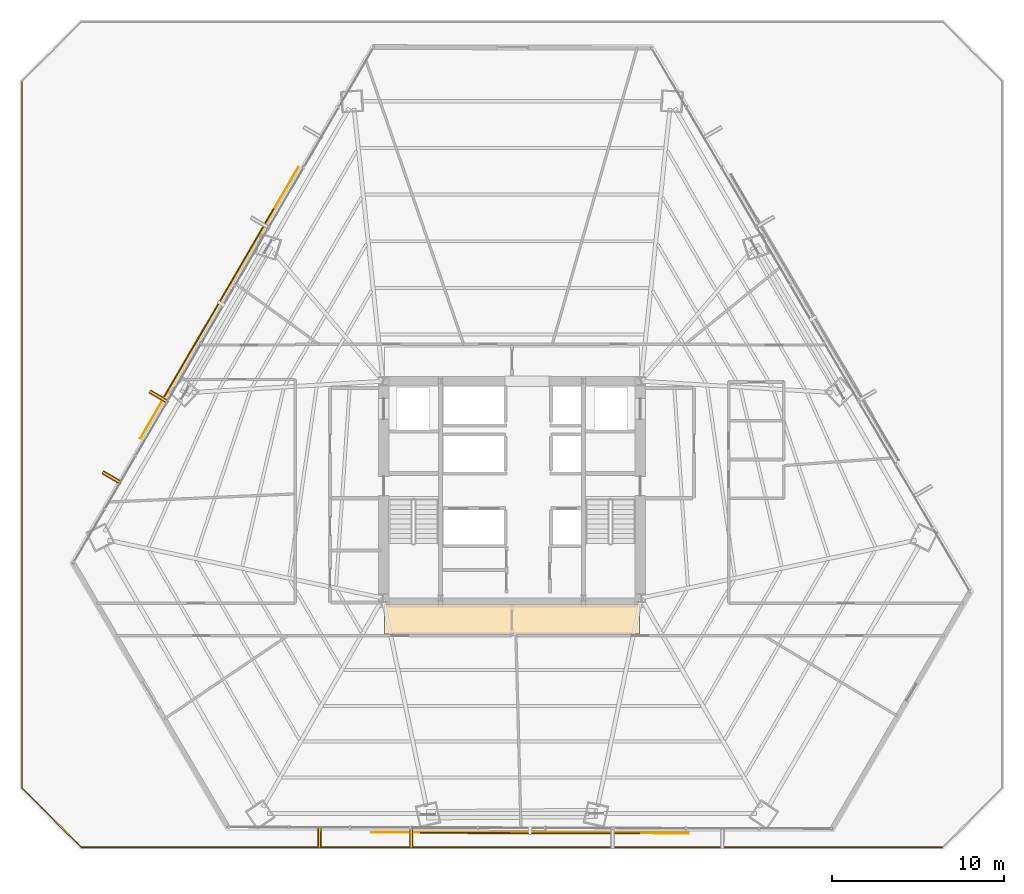
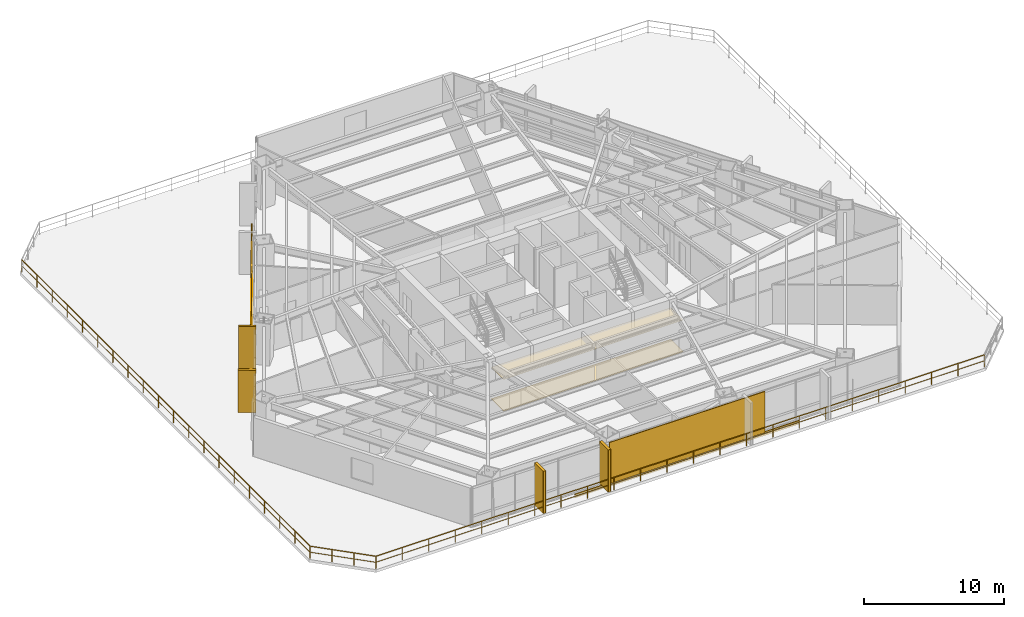
# One storey, part 32 of 35: 8 coverings, 6 shading devices, 3 railings.
"""IFC4 building model written with IfcOpenShell, lengths in metres."""

from ifc_helpers import new_model, si_unit, direction, frame, origin, origin_2d, place, context, subcontext, project, spatial, polyline, rectangle, outline, extrude, source, transform, mapped, material, layer, layer_set, type_object, type_shapes, element, save


model = new_model("IFC4")

# Units and contexts
model_context = context("Model", 3, precision=1e-05, world=origin(), true_north=direction((0.0, 1.0)))
body_context = subcontext(model_context, "Body", "Model", "MODEL_VIEW")
ifc_project = project(units=[si_unit("LENGTHUNIT", "METRE"), si_unit("AREAUNIT", "SQUARE_METRE"), si_unit("VOLUMEUNIT", "CUBIC_METRE"), si_unit("PLANEANGLEUNIT", "RADIAN"), si_unit("MASSUNIT", "GRAM", prefix="KILO")], contexts=[model_context])

# Site, building, storey
site_placement = place(None, origin())
site = spatial("IfcSite", under=ifc_project, at=site_placement, CompositionType="ELEMENT")
building_placement = place(site_placement, origin())
building = spatial("IfcBuilding", under=site, at=building_placement, Name="Caelisora Broadcast Tower", CompositionType="ELEMENT")
storey_placement = place(building_placement, frame((0.0, 0.0, 27.60009765625)))
storey = spatial("IfcBuildingStorey", under=building, at=storey_placement, Name="L06", CompositionType="ELEMENT", Elevation=27.60009765625)

# Railings
ifc_material_1 = material(Name="Laminated Glass and Stainless Steel Terrace Balustrade", Category="steel")
ifc_layer_1 = layer(ifc_material_1, 0.048095703125, Name="Laminated Glass and Stainless Steel Terrace Balustrade")
ifc_layer_set_1 = layer_set([ifc_layer_1], Name="Laminated Glass and Stainless Steel Terrace Balustrade")
railing_type = type_object("IfcRailingType", Name="BL-1", PredefinedType="BALUSTRADE", material=ifc_layer_set_1)
railing_1_placement = place(storey_placement, frame((12.949951171875, 2.919921875, 0.0)))
element("IfcRailing", 1, at=railing_1_placement, inside=storey, type_object=railing_type, Name="L06 balustrade BL-1 #01", PredefinedType="BALUSTRADE", context=body_context, shape_type="SweptSolid", body=[
    extrude(rectangle(XDim=0.048095703125, YDim=0.048095703125, at=origin_2d()), frame((0.0, 0.0, 1.076171875), z_axis=(-0.707081615901, 0.707131945577, 0.0), x_axis=(-0.707131945577, -0.707081615901, 0.0)), (0.0, 0.0, 1.0), 4.850830078125),
    extrude(rectangle(XDim=0.03125, YDim=0.03125, at=origin_2d()), frame((0.0, 0.0, 0.550048828125), z_axis=(-0.707081615901, 0.707131945577, 0.0), x_axis=(-0.707131945577, -0.707081615901, 0.0)), (0.0, 0.0, 1.0), 4.850830078125),
    extrude(rectangle(XDim=0.0419921875, YDim=0.0419921875, at=origin_2d()), origin(), (0.0, 0.0, 1.0), 1.052001953125),
    extrude(rectangle(XDim=0.0419921875, YDim=0.0419921875, at=origin_2d()), frame((-1.143310546875, 1.143310546875, 0.0)), (0.0, 0.0, 1.0), 1.052001953125),
    extrude(rectangle(XDim=0.0419921875, YDim=0.0419921875, at=origin_2d()), frame((-2.28662109375, 2.286865234375, 0.0)), (0.0, 0.0, 1.0), 1.052001953125),
    extrude(rectangle(XDim=0.0419921875, YDim=0.0419921875, at=origin_2d()), frame((-3.429931640625, 3.43017578125, 0.0)), (0.0, 0.0, 1.0), 1.052001953125),
])
railing_2_placement = place(storey_placement, frame((9.52001953125, 6.35009765625, 0.0)))
element("IfcRailing", 2, at=railing_2_placement, inside=storey, type_object=railing_type, Name="L06 balustrade BL-1 #02", PredefinedType="BALUSTRADE", context=body_context, shape_type="SweptSolid", body=[
    extrude(rectangle(XDim=0.048095703125, YDim=0.048095703125, at=origin_2d()), frame((0.0, 0.0, 1.076171875), z_axis=(0.0, 1.0, 0.0), x_axis=(-1.0, 0.0, 0.0)), (0.0, 0.0, 1.0), 41.099853515625),
    extrude(rectangle(XDim=0.03125, YDim=0.03125, at=origin_2d()), frame((0.0, 0.0, 0.550048828125), z_axis=(0.0, 1.0, 0.0), x_axis=(-1.0, 0.0, 0.0)), (0.0, 0.0, 1.0), 41.099853515625),
    extrude(rectangle(XDim=0.0419921875, YDim=0.0419921875, at=origin_2d()), origin(), (0.0, 0.0, 1.0), 1.052001953125),
    extrude(rectangle(XDim=0.0419921875, YDim=0.0419921875, at=origin_2d()), frame((0.0, 2.1630859375, 0.0)), (0.0, 0.0, 1.0), 1.052001953125),
    extrude(rectangle(XDim=0.0419921875, YDim=0.0419921875, at=origin_2d()), frame((0.0, 4.326416015625, 0.0)), (0.0, 0.0, 1.0), 1.052001953125),
    extrude(rectangle(XDim=0.0419921875, YDim=0.0419921875, at=origin_2d()), frame((0.0, 6.489501953125, 0.0)), (0.0, 0.0, 1.0), 1.052001953125),
    extrude(rectangle(XDim=0.0419921875, YDim=0.0419921875, at=origin_2d()), frame((0.0, 8.652587890625, 0.0)), (0.0, 0.0, 1.0), 1.052001953125),
    extrude(rectangle(XDim=0.0419921875, YDim=0.0419921875, at=origin_2d()), frame((0.0, 10.815673828125, 0.0)), (0.0, 0.0, 1.0), 1.052001953125),
    extrude(rectangle(XDim=0.0419921875, YDim=0.0419921875, at=origin_2d()), frame((0.0, 12.97900390625, 0.0)), (0.0, 0.0, 1.0), 1.052001953125),
    extrude(rectangle(XDim=0.0419921875, YDim=0.0419921875, at=origin_2d()), frame((0.0, 15.14208984375, 0.0)), (0.0, 0.0, 1.0), 1.052001953125),
    extrude(rectangle(XDim=0.0419921875, YDim=0.0419921875, at=origin_2d()), frame((0.0, 17.30517578125, 0.0)), (0.0, 0.0, 1.0), 1.052001953125),
    extrude(rectangle(XDim=0.0419921875, YDim=0.0419921875, at=origin_2d()), frame((0.0, 19.46826171875, 0.0)), (0.0, 0.0, 1.0), 1.052001953125),
    extrude(rectangle(XDim=0.0419921875, YDim=0.0419921875, at=origin_2d()), frame((0.0, 21.631591796875, 0.0)), (0.0, 0.0, 1.0), 1.052001953125),
    extrude(rectangle(XDim=0.0419921875, YDim=0.0419921875, at=origin_2d()), frame((0.0, 23.794677734375, 0.0)), (0.0, 0.0, 1.0), 1.052001953125),
    extrude(rectangle(XDim=0.0419921875, YDim=0.0419921875, at=origin_2d()), frame((0.0, 25.957763671875, 0.0)), (0.0, 0.0, 1.0), 1.052001953125),
    extrude(rectangle(XDim=0.0419921875, YDim=0.0419921875, at=origin_2d()), frame((0.0, 28.120849609375, 0.0)), (0.0, 0.0, 1.0), 1.052001953125),
    extrude(rectangle(XDim=0.0419921875, YDim=0.0419921875, at=origin_2d()), frame((0.0, 30.2841796875, 0.0)), (0.0, 0.0, 1.0), 1.052001953125),
    extrude(rectangle(XDim=0.0419921875, YDim=0.0419921875, at=origin_2d()), frame((0.0, 32.447265625, 0.0)), (0.0, 0.0, 1.0), 1.052001953125),
    extrude(rectangle(XDim=0.0419921875, YDim=0.0419921875, at=origin_2d()), frame((0.0, 34.6103515625, 0.0)), (0.0, 0.0, 1.0), 1.052001953125),
    extrude(rectangle(XDim=0.0419921875, YDim=0.0419921875, at=origin_2d()), frame((0.0, 36.7734375, 0.0)), (0.0, 0.0, 1.0), 1.052001953125),
    extrude(rectangle(XDim=0.0419921875, YDim=0.0419921875, at=origin_2d()), frame((0.0, 38.936767578125, 0.0)), (0.0, 0.0, 1.0), 1.052001953125),
    extrude(rectangle(XDim=0.0419921875, YDim=0.0419921875, at=origin_2d()), frame((0.0, 41.099853515625, 0.0)), (0.0, 0.0, 1.0), 1.052001953125),
])
railing_3_placement = place(storey_placement, frame((63.050048828125, 2.919921875, 0.0)))
element("IfcRailing", 3, at=railing_3_placement, inside=storey, type_object=railing_type, Name="L06 balustrade BL-1 #08", PredefinedType="BALUSTRADE", context=body_context, shape_type="SweptSolid", body=[
    extrude(rectangle(XDim=0.048095703125, YDim=0.048095703125, at=origin_2d()), frame((0.0, 0.0, 1.076171875), z_axis=(-1.0, 0.0, 0.0), x_axis=(0.0, -1.0, 0.0)), (0.0, 0.0, 1.0), 50.10009765625),
    extrude(rectangle(XDim=0.03125, YDim=0.03125, at=origin_2d()), frame((0.0, 0.0, 0.550048828125), z_axis=(-1.0, 0.0, 0.0), x_axis=(0.0, -1.0, 0.0)), (0.0, 0.0, 1.0), 50.10009765625),
    extrude(rectangle(XDim=0.0419921875, YDim=0.0419921875, at=origin_2d()), origin(), (0.0, 0.0, 1.0), 1.052001953125),
    extrude(rectangle(XDim=0.0419921875, YDim=0.0419921875, at=origin_2d()), frame((-2.17822265625, 0.0, 0.0)), (0.0, 0.0, 1.0), 1.052001953125),
    extrude(rectangle(XDim=0.0419921875, YDim=0.0419921875, at=origin_2d()), frame((-4.3564453125, 0.0, 0.0)), (0.0, 0.0, 1.0), 1.052001953125),
    extrude(rectangle(XDim=0.0419921875, YDim=0.0419921875, at=origin_2d()), frame((-6.534912109375, 0.0, 0.0)), (0.0, 0.0, 1.0), 1.052001953125),
    extrude(rectangle(XDim=0.0419921875, YDim=0.0419921875, at=origin_2d()), frame((-8.713134765625, 0.0, 0.0)), (0.0, 0.0, 1.0), 1.052001953125),
    extrude(rectangle(XDim=0.0419921875, YDim=0.0419921875, at=origin_2d()), frame((-10.891357421875, 0.0, 0.0)), (0.0, 0.0, 1.0), 1.052001953125),
    extrude(rectangle(XDim=0.0419921875, YDim=0.0419921875, at=origin_2d()), frame((-13.069580078125, 0.0, 0.0)), (0.0, 0.0, 1.0), 1.052001953125),
    extrude(rectangle(XDim=0.0419921875, YDim=0.0419921875, at=origin_2d()), frame((-15.247802734375, 0.0, 0.0)), (0.0, 0.0, 1.0), 1.052001953125),
    extrude(rectangle(XDim=0.0419921875, YDim=0.0419921875, at=origin_2d()), frame((-17.426025390625, 0.0, 0.0)), (0.0, 0.0, 1.0), 1.052001953125),
    extrude(rectangle(XDim=0.0419921875, YDim=0.0419921875, at=origin_2d()), frame((-19.6044921875, 0.0, 0.0)), (0.0, 0.0, 1.0), 1.052001953125),
    extrude(rectangle(XDim=0.0419921875, YDim=0.0419921875, at=origin_2d()), frame((-21.78271484375, 0.0, 0.0)), (0.0, 0.0, 1.0), 1.052001953125),
    extrude(rectangle(XDim=0.0419921875, YDim=0.0419921875, at=origin_2d()), frame((-23.9609375, 0.0, 0.0)), (0.0, 0.0, 1.0), 1.052001953125),
    extrude(rectangle(XDim=0.0419921875, YDim=0.0419921875, at=origin_2d()), frame((-26.13916015625, 0.0, 0.0)), (0.0, 0.0, 1.0), 1.052001953125),
    extrude(rectangle(XDim=0.0419921875, YDim=0.0419921875, at=origin_2d()), frame((-28.3173828125, 0.0, 0.0)), (0.0, 0.0, 1.0), 1.052001953125),
    extrude(rectangle(XDim=0.0419921875, YDim=0.0419921875, at=origin_2d()), frame((-30.49560546875, 0.0, 0.0)), (0.0, 0.0, 1.0), 1.052001953125),
    extrude(rectangle(XDim=0.0419921875, YDim=0.0419921875, at=origin_2d()), frame((-32.674072265625, 0.0, 0.0)), (0.0, 0.0, 1.0), 1.052001953125),
    extrude(rectangle(XDim=0.0419921875, YDim=0.0419921875, at=origin_2d()), frame((-34.852294921875, 0.0, 0.0)), (0.0, 0.0, 1.0), 1.052001953125),
    extrude(rectangle(XDim=0.0419921875, YDim=0.0419921875, at=origin_2d()), frame((-37.030517578125, 0.0, 0.0)), (0.0, 0.0, 1.0), 1.052001953125),
    extrude(rectangle(XDim=0.0419921875, YDim=0.0419921875, at=origin_2d()), frame((-39.208740234375, 0.0, 0.0)), (0.0, 0.0, 1.0), 1.052001953125),
    extrude(rectangle(XDim=0.0419921875, YDim=0.0419921875, at=origin_2d()), frame((-41.386962890625, 0.0, 0.0)), (0.0, 0.0, 1.0), 1.052001953125),
    extrude(rectangle(XDim=0.0419921875, YDim=0.0419921875, at=origin_2d()), frame((-43.565185546875, 0.0, 0.0)), (0.0, 0.0, 1.0), 1.052001953125),
    extrude(rectangle(XDim=0.0419921875, YDim=0.0419921875, at=origin_2d()), frame((-45.74365234375, 0.0, 0.0)), (0.0, 0.0, 1.0), 1.052001953125),
    extrude(rectangle(XDim=0.0419921875, YDim=0.0419921875, at=origin_2d()), frame((-47.921875, 0.0, 0.0)), (0.0, 0.0, 1.0), 1.052001953125),
    extrude(rectangle(XDim=0.0419921875, YDim=0.0419921875, at=origin_2d()), frame((-50.10009765625, 0.0, 0.0)), (0.0, 0.0, 1.0), 1.052001953125),
])

# Coverings
ifc_material_2 = material(Name="Perforated Mineral-Fibre Acoustic Ceiling Tile", Category="gypsum")
ifc_layer_2 = layer(ifc_material_2, 0.034912109375, Name="Perforated Mineral-Fibre Acoustic Ceiling Tile")
ifc_layer_set_2 = layer_set([ifc_layer_2], Name="Perforated Mineral-Fibre Acoustic Ceiling Tile")
covering_type_1 = type_object("IfcCoveringType", Name="CE-1", PredefinedType="CEILING", material=ifc_layer_set_2)
covering_1_placement = place(storey_placement, frame((0.0, 0.0, 2.75)))
element("IfcCovering", 4, at=covering_1_placement, inside=storey, type_object=covering_type_1, Name="L06 acoustic corridor ceiling CE-1 (S)", PredefinedType="CEILING", context=body_context, shape_type="SweptSolid", body=[
    extrude(outline(polyline([(30.60009765625, 15.300048828125), (45.39990234375, 15.300048828125), (45.39990234375, 17.050048828125), (30.60009765625, 17.050048828125), (30.60009765625, 15.300048828125)])), origin(), (0.0, 0.0, 1.0), 0.034912109375),
])
ifc_material_3 = material(Name="Anti-Static Broadcast Raised Access Floor Panel", Category="steel")
ifc_layer_3 = layer(ifc_material_3, 0.044921875, Name="Anti-Static Broadcast Raised Access Floor Panel")
ifc_layer_set_3 = layer_set([ifc_layer_3], Name="Anti-Static Broadcast Raised Access Floor Panel")
covering_type_2 = type_object("IfcCoveringType", Name="FL-1", PredefinedType="FLOORING", material=ifc_layer_set_3)
covering_2_placement = place(storey_placement, origin())
element("IfcCovering", 5, at=covering_2_placement, inside=storey, type_object=covering_type_2, Name="L06 broadcast raised access floor FL-1 (S)", PredefinedType="FLOORING", context=body_context, shape_type="SweptSolid", body=[
    extrude(outline(polyline([(30.60009765625, 15.300048828125), (45.39990234375, 15.300048828125), (45.39990234375, 17.050048828125), (30.60009765625, 17.050048828125), (30.60009765625, 15.300048828125)])), origin(), (0.0, 0.0, 1.0), 0.044921875),
])
ifc_material_4 = material(Name="Kiln-Fired Terracotta Spandrel Rainscreen Cladding", Category="ceramic")
ifc_layer_4 = layer(ifc_material_4, 0.044921875, Name="Kiln-Fired Terracotta Spandrel Rainscreen Cladding")
ifc_layer_set_4 = layer_set([ifc_layer_4], Name="Kiln-Fired Terracotta Spandrel Rainscreen Cladding")
covering_type_3 = type_object("IfcCoveringType", Name="CL-1", PredefinedType="CLADDING", material=ifc_layer_set_4)
shared_shape_1 = source(origin(), body_context, "Body", "SweptSolid", [
    extrude(rectangle(XDim=0.219970703125, YDim=1.25, at=origin_2d()), origin(), (0.0, 0.0, 1.0), 3.68994140625),
])
for number, where, z_axis, x_axis, name in (
    (6, (32.14404296875, 3.4921875, -0.02001953125), (0.0, 0.0, 1.0), (-0.999996573056, 0.002617990887, 0.0), "L06 vertical solar fin cladding #2-3"),
    (7, (26.811767578125, 3.506591796875, -0.02001953125), (0.0, 0.0, 1.0), (-0.999996573056, 0.002617990887, 0.0), "L06 vertical solar fin cladding #2-4"),
    (8, (14.745361328125, 24.3974609375, -0.02001953125), (0.0, 0.0, 1.0), (0.503321604797, 0.864099162217, 0.0), "L06 vertical solar fin cladding #3-1"),
    (9, (17.480712890625, 29.093994140625, -0.02001953125), (0.0, 0.0, 1.0), (0.503321604797, 0.864099162217, 0.0), "L06 vertical solar fin cladding #3-2"),
):
    element("IfcCovering", number, at=place(storey_placement, frame(where, z_axis=z_axis, x_axis=x_axis)), inside=storey, type_object=covering_type_3, Name=name, PredefinedType="CLADDING", context=body_context, shape_type="MappedRepresentation", body=[
        mapped(shared_shape_1, transform((0.0, 0.0, 0.0), scale=1.0)),
    ])

# Shading devices
ifc_material_5 = material(Name="Extruded Terracotta Flaring Colonnade Fin", Category="ceramic")
ifc_layer_5 = layer(ifc_material_5, 0.139892578125, Name="Extruded Terracotta Flaring Colonnade Fin")
ifc_layer_set_5 = layer_set([ifc_layer_5], Name="Extruded Terracotta Flaring Colonnade Fin")
shading_device_type_1 = type_object("IfcShadingDeviceType", Name="FN-1", PredefinedType="USERDEFINED", material=ifc_layer_set_5)
shared_shape_2 = source(origin(), body_context, "Body", "SweptSolid", [
    extrude(rectangle(XDim=0.139892578125, YDim=1.25, at=origin_2d()), origin(), (0.0, 0.0, 1.0), 3.669921875),
])
type_shapes(shading_device_type_1, [shared_shape_2])
for number, where, z_axis, x_axis, name in (
    (10, (32.14404296875, 3.4921875, -0.010009765625), (0.0, 0.0, 1.0), (-0.999996573056, 0.002617990887, 0.0), "L06 vertical terracotta fin #2-3"),
    (11, (26.811767578125, 3.506591796875, -0.010009765625), (0.0, 0.0, 1.0), (-0.999996573056, 0.002617990887, 0.0), "L06 vertical terracotta fin #2-4"),
    (12, (14.745361328125, 24.3974609375, -0.010009765625), (0.0, 0.0, 1.0), (0.503321604797, 0.864099162217, 0.0), "L06 vertical terracotta fin #3-1"),
    (13, (17.480712890625, 29.093994140625, -0.010009765625), (0.0, 0.0, 1.0), (0.503321604797, 0.864099162217, 0.0), "L06 vertical terracotta fin #3-2"),
):
    element("IfcShadingDevice", number, at=place(storey_placement, frame(where, z_axis=z_axis, x_axis=x_axis)), inside=storey, type_object=shading_device_type_1, Name=name, ObjectType="FIN", PredefinedType="USERDEFINED", context=body_context, shape_type="MappedRepresentation", body=[
        mapped(shared_shape_2, transform((0.0, 0.0, 0.0), scale=1.0)),
    ])
ifc_material_6 = material(Name="Perforated Glazed Terracotta Baguette Solar Screen", Category="ceramic")
ifc_layer_6 = layer(ifc_material_6, 0.06494140625, Name="Perforated Glazed Terracotta Baguette Solar Screen")
ifc_layer_set_6 = layer_set([ifc_layer_6], Name="Perforated Glazed Terracotta Baguette Solar Screen")
shading_device_type_2 = type_object("IfcShadingDeviceType", Name="SS-1", PredefinedType="USERDEFINED", material=ifc_layer_set_6)
shared_shape_3 = source(origin(), body_context, "Body", "SweptSolid", [
    extrude(rectangle(XDim=12.64306640625, YDim=0.06494140625, at=origin_2d()), origin(), (0.0, 0.0, 1.0), 3.590087890625),
])
shading_device_1_placement = place(storey_placement, frame((20.97216796875, 34.572509765625, 0.0), z_axis=(0.0, 0.0, 1.0), x_axis=(-0.503321604797, -0.864099162217, 0.0)))
element("IfcShadingDevice", 14, at=shading_device_1_placement, inside=storey, type_object=shading_device_type_2, Name="L06 perforated terracotta solar screen #1", ObjectType="SOLAR SCREEN", PredefinedType="USERDEFINED", context=body_context, shape_type="MappedRepresentation", body=[
    mapped(shared_shape_3, transform((0.0, 0.0, 0.0), scale=1.0)),
])

# Covering
shared_shape_4 = source(origin(), body_context, "Body", "SweptSolid", [
    extrude(rectangle(XDim=18.262939453125, YDim=0.044921875, at=origin_2d()), origin(), (0.0, 0.0, 1.0), 0.340087890625),
])
covering_3_placement = place(storey_placement, frame((20.9892578125, 34.562255859375, -0.27001953125), z_axis=(0.0, 0.0, 1.0), x_axis=(-0.503321604797, -0.864099162217, 0.0)))
element("IfcCovering", 15, at=covering_3_placement, inside=storey, type_object=covering_type_3, Name="L06 terracotta spandrel rainscreen #1", PredefinedType="CLADDING", context=body_context, shape_type="MappedRepresentation", body=[
    mapped(shared_shape_4, transform((0.0, 0.0, 0.0), scale=1.0)),
])

# Shading device
shared_shape_5 = source(origin(), body_context, "Body", "SweptSolid", [
    extrude(rectangle(XDim=12.787109375, YDim=0.06494140625, at=origin_2d()), origin(), (0.0, 0.0, 1.0), 3.590087890625),
])
type_shapes(shading_device_type_2, [shared_shape_3, shared_shape_5])
shading_device_2_placement = place(storey_placement, frame((39.045654296875, 3.7333984375, 0.0), z_axis=(0.0, 0.0, 1.0), x_axis=(0.9999961009, -0.002792523174, 0.0)))
element("IfcShadingDevice", 16, at=shading_device_2_placement, inside=storey, type_object=shading_device_type_2, Name="L06 perforated terracotta solar screen #2", ObjectType="SOLAR SCREEN", PredefinedType="USERDEFINED", context=body_context, shape_type="MappedRepresentation", body=[
    mapped(shared_shape_5, transform((0.0, 0.0, 0.0), scale=1.0)),
])

# Covering
shared_shape_6 = source(origin(), body_context, "Body", "SweptSolid", [
    extrude(rectangle(XDim=18.469970703125, YDim=0.044921875, at=origin_2d()), origin(), (0.0, 0.0, 1.0), 0.340087890625),
])
type_shapes(covering_type_3, [shared_shape_1, shared_shape_4, shared_shape_6])
covering_4_placement = place(storey_placement, frame((39.045654296875, 3.75341796875, -0.27001953125), z_axis=(0.0, 0.0, 1.0), x_axis=(0.9999961009, -0.002792523174, 0.0)))
element("IfcCovering", 17, at=covering_4_placement, inside=storey, type_object=covering_type_3, Name="L06 terracotta spandrel rainscreen #2", PredefinedType="CLADDING", context=body_context, shape_type="MappedRepresentation", body=[
    mapped(shared_shape_6, transform((0.0, 0.0, 0.0), scale=1.0)),
])

save(model, "model.ifc")
